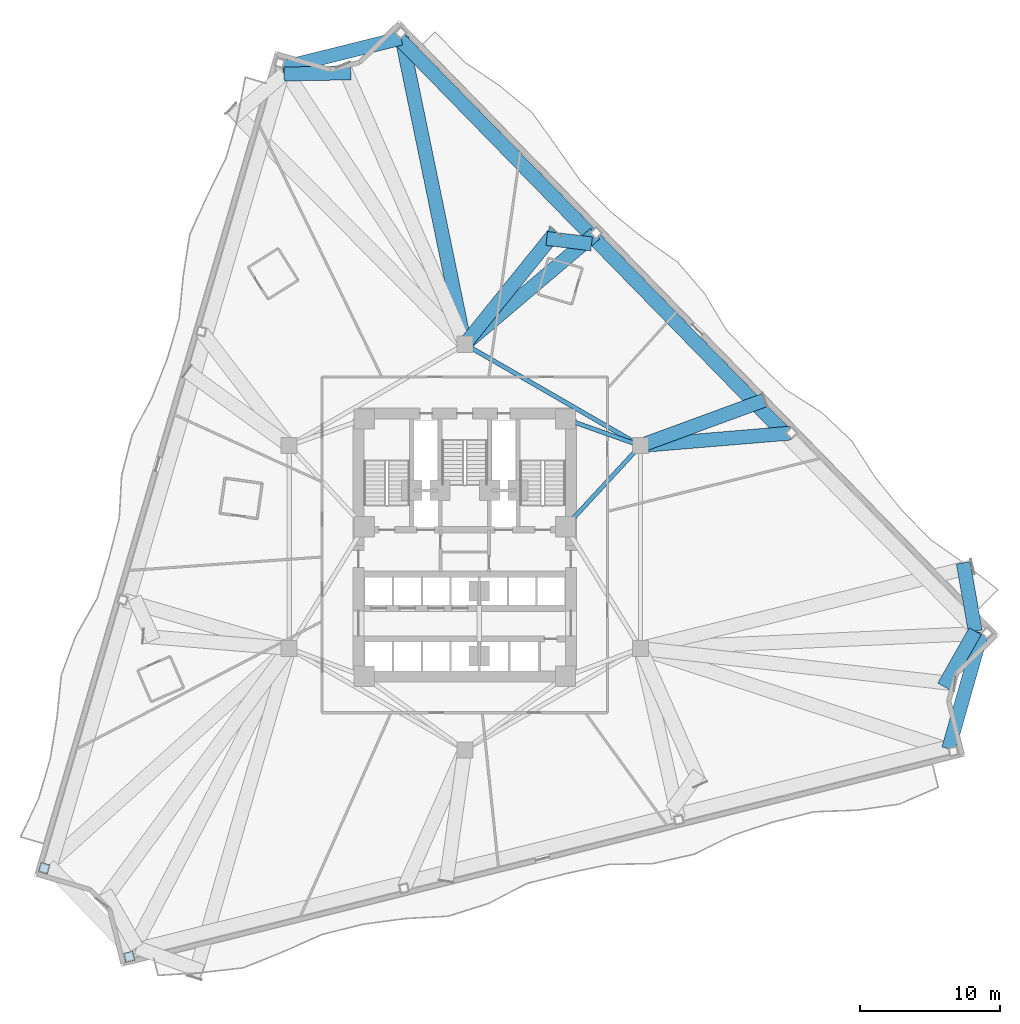
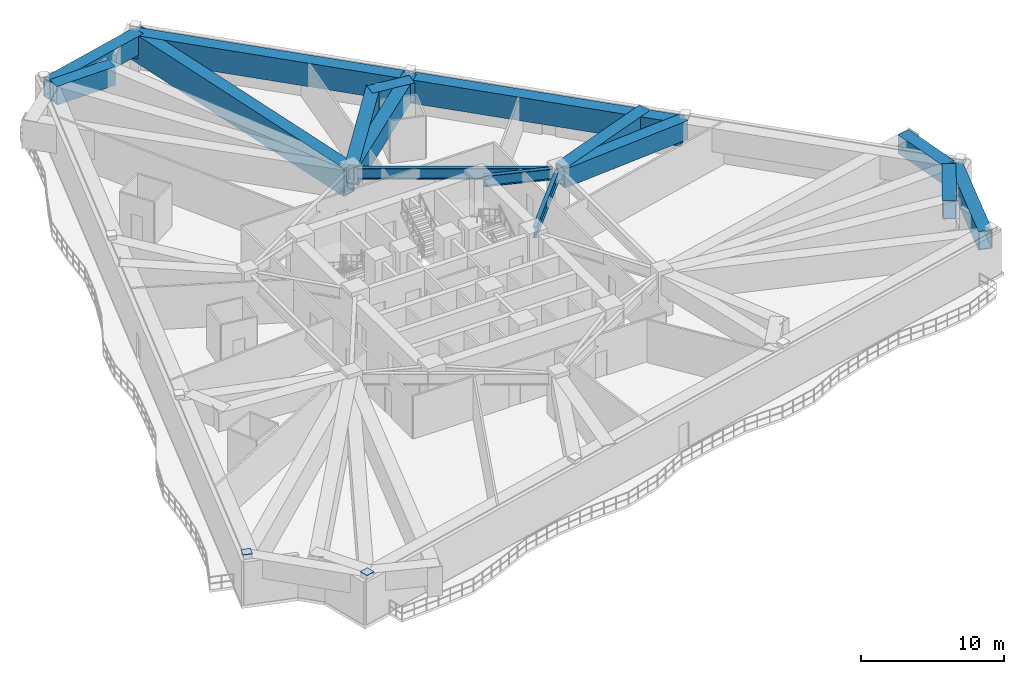
# One storey, part 2 of 14: 16 beams, 2 plates.
"""IFC4 building model written with IfcOpenShell, lengths in metres."""

from ifc_helpers import new_model, si_unit, direction, frame, origin, origin_2d, place, context, subcontext, project, spatial, rectangle, hollow_rectangle, i_section, extrude, material, layer, layer_set, material_profile, profile_set, type_object, element, save


model = new_model("IFC4")

# Units and contexts
model_context = context("Model", 3, precision=1e-05, world=origin(), true_north=direction((0.0, 1.0)))
body_context = subcontext(model_context, "Body", "Model", "MODEL_VIEW")
ifc_project = project(units=[si_unit("LENGTHUNIT", "METRE"), si_unit("AREAUNIT", "SQUARE_METRE"), si_unit("VOLUMEUNIT", "CUBIC_METRE"), si_unit("PLANEANGLEUNIT", "RADIAN"), si_unit("MASSUNIT", "GRAM", prefix="KILO")], contexts=[model_context])

# Site, building, storey
site_placement = place(None, origin())
site = spatial("IfcSite", under=ifc_project, at=site_placement, CompositionType="ELEMENT")
building_placement = place(site_placement, origin())
building = spatial("IfcBuilding", under=site, at=building_placement, Name="Apsidion Concourse Tower", CompositionType="ELEMENT")
storey_placement = place(building_placement, frame((0.0, 0.0, 123.0)))
storey = spatial("IfcBuildingStorey", under=building, at=storey_placement, Name="L28", CompositionType="ELEMENT", Elevation=123.0)

# Beams
ifc_material_1 = material(Name="Structural steel ASTM A992 Grade 50", Category="steel")
ifc_material_profile_1 = material_profile(ifc_material_1, i_section(OverallWidth=0.31005859375, OverallDepth=0.931884765625, WebThickness=0.02099609375, FlangeThickness=0.034423828125, at=origin_2d()), Name="W36X210")
ifc_profile_set_1 = profile_set([ifc_material_profile_1], Name="Structural steel ASTM A992 Grade 50")
beam_type_1 = type_object("IfcBeamType", Name="BM-G-W36", PredefinedType="USERDEFINED", material=ifc_profile_set_1)
beam_1_placement = place(storey_placement, frame((12.28857421875, 6.956298828125, 3.18408203125), z_axis=(-0.678712876106, -0.73440372535, 0.0), x_axis=(0.73440372535, -0.678712876106, 0.0)))
element("IfcBeam", 1, at=beam_1_placement, inside=storey, type_object=beam_type_1, Name="L28 Core Coupling Girder IC3-SC3", ObjectType="GIRDER", PredefinedType="USERDEFINED", context=body_context, shape_type="SweptSolid", body=[
    extrude(i_section(OverallWidth=0.31005859375, OverallDepth=0.931884765625, WebThickness=0.02099609375, FlangeThickness=0.034423828125, at=origin_2d()), origin(), (0.0, 0.0, 1.0), 7.097412109375),
])
beam_2_placement = place(storey_placement, frame((12.18310546875, 7.383544921875, 3.18408203125), z_axis=(-0.942533844539, 0.334110688094, 0.0), x_axis=(-0.334110688094, -0.942533844539, 0.0)))
element("IfcBeam", 2, at=beam_2_placement, inside=storey, type_object=beam_type_1, Name="L28 Core Coupling Girder IC3-SC4", ObjectType="GIRDER", PredefinedType="USERDEFINED", context=body_context, shape_type="SweptSolid", body=[
    extrude(i_section(OverallWidth=0.31005859375, OverallDepth=0.931884765625, WebThickness=0.02099609375, FlangeThickness=0.034423828125, at=origin_2d()), origin(), (0.0, 0.0, 1.0), 4.886962890625),
])
beam_3_placement = place(storey_placement, frame((0.346435546875, 14.300048828125, 3.18408203125), z_axis=(0.866070471464, -0.499921932364, 0.0), x_axis=(0.499921932364, 0.866070471464, 0.0)))
element("IfcBeam", 3, at=beam_3_placement, inside=storey, type_object=beam_type_1, Name="L28 Core Coupling Girder IC4-IC3", ObjectType="GIRDER", PredefinedType="USERDEFINED", context=body_context, shape_type="SweptSolid", body=[
    extrude(i_section(OverallWidth=0.31005859375, OverallDepth=0.931884765625, WebThickness=0.02099609375, FlangeThickness=0.034423828125, at=origin_2d()), origin(), (0.0, 0.0, 1.0), 13.702392578125),
])
ifc_material_2 = material(Name="Structural steel ASTM A572 Grade 50", Category="steel")
ifc_material_profile_2 = material_profile(ifc_material_2, hollow_rectangle(XDim=1.0, YDim=1.60009765625, WallThickness=0.074951171875, at=origin_2d()), Name="BOX1600X1000X75")
ifc_profile_set_2 = profile_set([ifc_material_profile_2], Name="Structural steel ASTM A572 Grade 50")
beam_type_2 = type_object("IfcBeamType", Name="BM-TR-1600", PredefinedType="USERDEFINED", material=ifc_profile_set_2)
beam_4_placement = place(storey_placement, frame((34.595458984375, -14.42822265625, 2.85009765625), z_axis=(0.273019265413, 0.962008565821, 0.0), x_axis=(-0.962008565821, 0.273019265413, 0.0)))
element("IfcBeam", 4, at=beam_4_placement, inside=storey, type_object=beam_type_2, Name="L28 Perimeter Spandrel Girder SP-08", ObjectType="GIRDER", PredefinedType="USERDEFINED", context=body_context, shape_type="SweptSolid", body=[
    extrude(hollow_rectangle(XDim=1.0, YDim=1.60009765625, WallThickness=0.074951171875, at=origin_2d()), origin(), (0.0, 0.0, 1.0), 8.623046875),
])
beam_5_placement = place(storey_placement, frame((-4.5634765625, 36.383544921875, 2.85009765625), z_axis=(-0.970301525615, -0.241898634532, 0.0), x_axis=(0.241898634532, -0.970301525615, 0.0)))
element("IfcBeam", 5, at=beam_5_placement, inside=storey, type_object=beam_type_2, Name="L28 Perimeter Spandrel Girder SP-12", ObjectType="GIRDER", PredefinedType="USERDEFINED", context=body_context, shape_type="SweptSolid", body=[
    extrude(hollow_rectangle(XDim=1.0, YDim=1.60009765625, WallThickness=0.074951171875, at=origin_2d()), origin(), (0.0, 0.0, 1.0), 8.748291015625),
])
beam_6_placement = place(storey_placement, frame((12.779296875, 7.268310546875, 2.85009765625), z_axis=(0.996542717476, 0.08308196101, 0.0), x_axis=(-0.08308196101, 0.996542717476, 0.0)))
element("IfcBeam", 6, at=beam_6_placement, inside=storey, type_object=beam_type_2, Name="L28 Radial Floor Girder RAD-10", ObjectType="GIRDER", PredefinedType="USERDEFINED", context=body_context, shape_type="SweptSolid", body=[
    extrude(hollow_rectangle(XDim=1.0, YDim=1.60009765625, WallThickness=0.074951171875, at=origin_2d()), origin(), (0.0, 0.0, 1.0), 10.52294921875),
])
beam_7_placement = place(storey_placement, frame((0.167724609375, 14.64208984375, 2.85009765625), z_axis=(0.762885730709, 0.646533341662, 0.0), x_axis=(-0.646533341662, 0.762885730709, 0.0)))
element("IfcBeam", 7, at=beam_7_placement, inside=storey, type_object=beam_type_2, Name="L28 Radial Floor Girder RAD-11", ObjectType="GIRDER", PredefinedType="USERDEFINED", context=body_context, shape_type="SweptSolid", body=[
    extrude(hollow_rectangle(XDim=1.0, YDim=1.60009765625, WallThickness=0.074951171875, at=origin_2d()), origin(), (0.0, 0.0, 1.0), 11.993896484375),
])
beam_8_placement = place(storey_placement, frame((36.498291015625, -6.021240234375, 2.85009765625), z_axis=(-0.493343137721, -0.86983478228, 0.0), x_axis=(0.86983478228, -0.493343137721, 0.0)))
element("IfcBeam", 8, at=beam_8_placement, inside=storey, type_object=beam_type_2, Name="L28 Block-Step Perimeter Transfer Bridge NBR-08", ObjectType="GIRDER", PredefinedType="USERDEFINED", context=body_context, shape_type="SweptSolid", body=[
    extrude(hollow_rectangle(XDim=1.0, YDim=1.60009765625, WallThickness=0.074951171875, at=origin_2d()), origin(), (0.0, 0.0, 1.0), 4.54638671875),
])
beam_9_placement = place(storey_placement, frame((36.498291015625, -6.021240234375, 2.85009765625), z_axis=(-0.172786080178, 0.984959375049, 0.0), x_axis=(-0.984959375049, -0.172786080178, 0.0)))
element("IfcBeam", 9, at=beam_9_placement, inside=storey, type_object=beam_type_2, Name="L28 Block-Step Perimeter Transfer Bridge NBR-09", ObjectType="GIRDER", PredefinedType="USERDEFINED", context=body_context, shape_type="SweptSolid", body=[
    extrude(hollow_rectangle(XDim=1.0, YDim=1.60009765625, WallThickness=0.074951171875, at=origin_2d()), origin(), (0.0, 0.0, 1.0), 4.96240234375),
])
beam_10_placement = place(storey_placement, frame((12.841796875, 7.353271484375, 2.85009765625), z_axis=(0.938839552331, 0.344354896842, 0.0), x_axis=(-0.344354896842, 0.938839552331, 0.0)))
element("IfcBeam", 10, at=beam_10_placement, inside=storey, type_object=beam_type_2, Name="L28 Block-Step Radial Transfer Girder NTR-10", ObjectType="GIRDER", PredefinedType="USERDEFINED", context=body_context, shape_type="SweptSolid", body=[
    extrude(hollow_rectangle(XDim=1.0, YDim=1.60009765625, WallThickness=0.074951171875, at=origin_2d()), origin(), (0.0, 0.0, 1.0), 9.159423828125),
])
beam_11_placement = place(storey_placement, frame((0.188720703125, 14.7333984375, 2.85009765625), z_axis=(0.628569937436, 0.777753067337, 0.0), x_axis=(-0.777753067337, 0.628569937436, 0.0)))
element("IfcBeam", 11, at=beam_11_placement, inside=storey, type_object=beam_type_2, Name="L28 Block-Step Radial Transfer Girder NTR-11", ObjectType="GIRDER", PredefinedType="USERDEFINED", context=body_context, shape_type="SweptSolid", body=[
    extrude(hollow_rectangle(XDim=1.0, YDim=1.60009765625, WallThickness=0.074951171875, at=origin_2d()), origin(), (0.0, 0.0, 1.0), 10.0302734375),
])
beam_12_placement = place(storey_placement, frame((9.06591796875, 21.677001953125, 2.85009765625), z_axis=(-0.992820233518, 0.119615985209, 0.0), x_axis=(-0.119615985209, -0.992820233518, 0.0)))
element("IfcBeam", 12, at=beam_12_placement, inside=storey, type_object=beam_type_2, Name="L28 Block-Step Perimeter Transfer Bridge NBR-11", ObjectType="GIRDER", PredefinedType="USERDEFINED", context=body_context, shape_type="SweptSolid", body=[
    extrude(hollow_rectangle(XDim=1.0, YDim=1.60009765625, WallThickness=0.074951171875, at=origin_2d()), origin(), (0.0, 0.0, 1.0), 3.23095703125),
])
beam_13_placement = place(storey_placement, frame((-12.918212890625, 33.822509765625, 2.85009765625), z_axis=(0.999864702943, 0.016449188686, 0.0), x_axis=(-0.016449188686, 0.999864702943, 0.0)))
element("IfcBeam", 13, at=beam_13_placement, inside=storey, type_object=beam_type_2, Name="L28 Block-Step Perimeter Transfer Bridge NBR-12", ObjectType="GIRDER", PredefinedType="USERDEFINED", context=body_context, shape_type="SweptSolid", body=[
    extrude(hollow_rectangle(XDim=1.0, YDim=1.60009765625, WallThickness=0.074951171875, at=origin_2d()), origin(), (0.0, 0.0, 1.0), 4.764404296875),
])
ifc_material_profile_3 = material_profile(ifc_material_2, hollow_rectangle(XDim=1.0, YDim=2.0, WallThickness=0.080078125, at=origin_2d()), Name="BOX2000X1000X80")
ifc_profile_set_3 = profile_set([ifc_material_profile_3], Name="Structural steel ASTM A572 Grade 50")
beam_type_3 = type_object("IfcBeamType", Name="BM-TR-2000", PredefinedType="USERDEFINED", material=ifc_profile_set_3)
for number, where, z_axis, x_axis, name in (
    (14, (23.03759765625, 7.9423828125, 2.64990234375), (-0.698571229399, 0.715540521184, 0.0), (-0.715540521184, -0.698571229399, 0.0), "L28 Perimeter Spandrel Girder SP-10"),
    (15, (9.066162109375, 22.2529296875, 2.64990234375), (-0.698583680674, 0.715528364984, 0.0), (-0.715528364984, -0.698583680674, 0.0), "L28 Perimeter Spandrel Girder SP-11"),
):
    element("IfcBeam", number, at=place(storey_placement, frame(where, z_axis=z_axis, x_axis=x_axis)), inside=storey, type_object=beam_type_3, Name=name, ObjectType="GIRDER", PredefinedType="USERDEFINED", context=body_context, shape_type="SweptSolid", body=[
        extrude(hollow_rectangle(XDim=1.0, YDim=2.0, WallThickness=0.080078125, at=origin_2d()), origin(), (0.0, 0.0, 1.0), 19.83984375),
    ])
ifc_material_profile_4 = material_profile(ifc_material_2, hollow_rectangle(XDim=1.0, YDim=2.39990234375, WallThickness=0.080078125, at=origin_2d()), Name="BOX2400X1000X80")
ifc_profile_set_4 = profile_set([ifc_material_profile_4], Name="Structural steel ASTM A572 Grade 50")
beam_type_4 = type_object("IfcBeamType", Name="BM-TR-2400", PredefinedType="USERDEFINED", material=ifc_profile_set_4)
beam_14_placement = place(storey_placement, frame((-0.044189453125, 14.715576171875, 2.449951171875), z_axis=(-0.201338856599, 0.979521651023, 0.0), x_axis=(-0.979521651023, -0.201338856599, 0.0)))
element("IfcBeam", 16, at=beam_14_placement, inside=storey, type_object=beam_type_4, Name="L28 Radial Floor Girder RAD-12", ObjectType="GIRDER", PredefinedType="USERDEFINED", context=body_context, shape_type="SweptSolid", body=[
    extrude(hollow_rectangle(XDim=1.0, YDim=2.39990234375, WallThickness=0.080078125, at=origin_2d()), origin(), (0.0, 0.0, 1.0), 22.4169921875),
])

# Plates
ifc_layer = layer(ifc_material_2, 0.034912109375)
ifc_layer_set = layer_set([ifc_layer], Name="Structural steel ASTM A572 Grade 50")
plate_type = type_object("IfcPlateType", Name="PL-ENDCAP-35", PredefinedType="USERDEFINED", material=ifc_layer_set)
for number, where, z_axis, x_axis, name in (
    (17, (-30.074951171875, -22.96728515625, 3.998046875), (0.0, 0.0, 1.0), (0.28083422227, 0.959756291775, 0.0), "L28 Step-Top Column End-Cap Plate PCCAP-PC04"),
    (18, (-23.9912109375, -29.302001953125, 3.998046875), (0.0, 0.0, 1.0), (0.970295726276, 0.2419218956, 0.0), "L28 Step-Top Column End-Cap Plate PCCAP-PC05"),
):
    element("IfcPlate", number, at=place(storey_placement, frame(where, z_axis=z_axis, x_axis=x_axis)), inside=storey, type_object=plate_type, Name=name, ObjectType="FLANGE_PLATE", PredefinedType="USERDEFINED", context=body_context, shape_type="SweptSolid", body=[
        extrude(rectangle(XDim=0.679931640625, YDim=0.679931640625, at=origin_2d()), origin(), (0.0, 0.0, 1.0), 0.0400390625),
    ])

save(model, "model.ifc")
